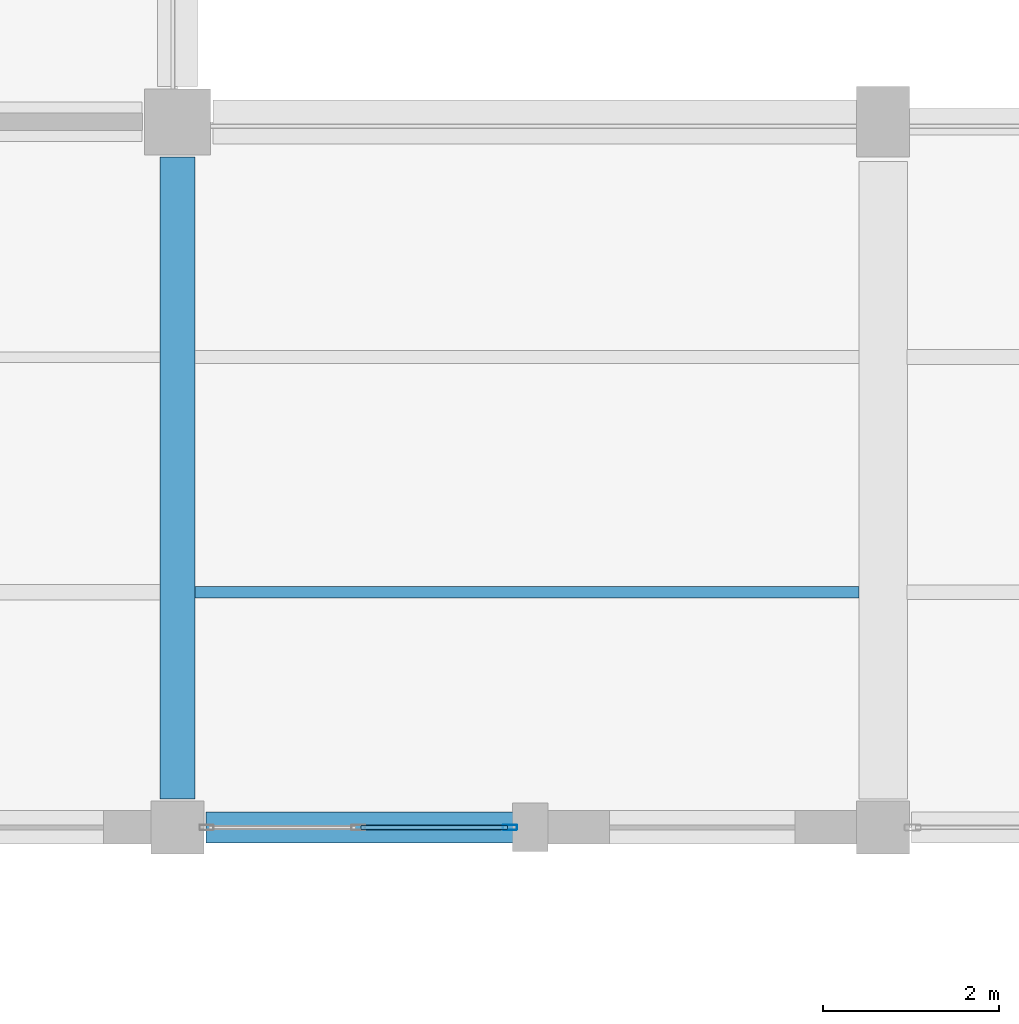
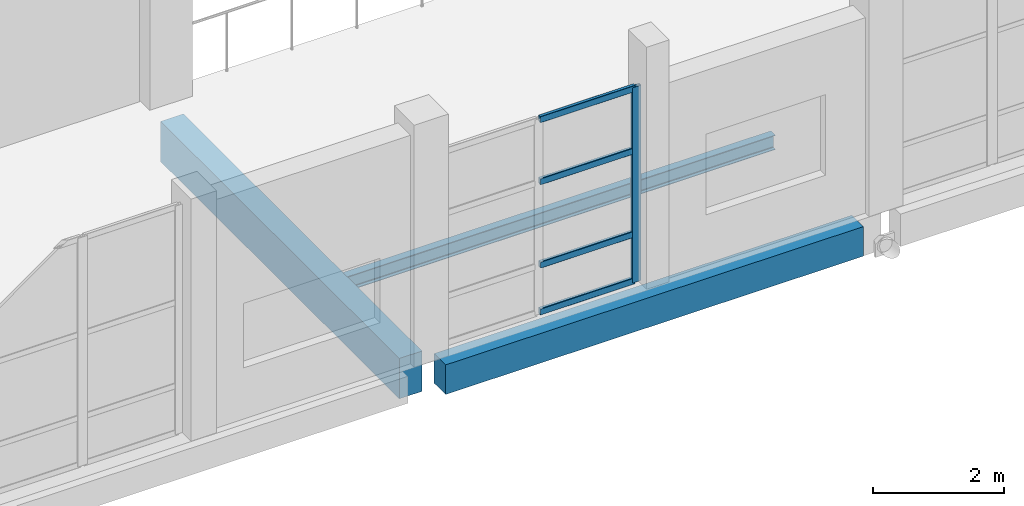
# One storey, part 93 of 183: 5 members, 3 beams, 1 element without a shape of its own.
"""IFC4 building model written with IfcOpenShell, lengths in metres."""

from ifc_helpers import new_model, si_unit, direction, frame, origin, origin_2d, place, context, subcontext, project, spatial, rectangle, hollow_rectangle, i_section, extrude, material, material_profile, profile_set, type_object, element, aggregate, save


model = new_model("IFC4")

# Units and contexts
model_context = context("Model", 3, precision=1e-05, world=origin(), true_north=direction((0.0, 1.0)))
body_context = subcontext(model_context, "Body", "Model", "MODEL_VIEW")
ifc_project = project(units=[si_unit("LENGTHUNIT", "METRE"), si_unit("AREAUNIT", "SQUARE_METRE"), si_unit("VOLUMEUNIT", "CUBIC_METRE"), si_unit("PLANEANGLEUNIT", "RADIAN"), si_unit("MASSUNIT", "GRAM", prefix="KILO")], contexts=[model_context])

# Site, building, storey
site_placement = place(None, origin())
site = spatial("IfcSite", under=ifc_project, at=site_placement, CompositionType="ELEMENT")
building_placement = place(site_placement, origin())
building = spatial("IfcBuilding", under=site, at=building_placement, Name="Luwemba Playhouse", CompositionType="ELEMENT")
storey_placement = place(building_placement, frame((0.0, 0.0, 4.800048828125)))
storey = spatial("IfcBuildingStorey", under=building, at=storey_placement, Name="L01", CompositionType="ELEMENT", Elevation=4.800048828125)

# Beams
ifc_material_1 = material(Name="Concrete C40/50", Category="concrete")
ifc_material_profile_1 = material_profile(ifc_material_1, rectangle(XDim=0.39990234375, YDim=0.75, at=origin_2d()))
ifc_profile_set_1 = profile_set([ifc_material_profile_1], Name="Concrete C40/50")
beam_type_1 = type_object("IfcBeamType", Name="BM-RB03", PredefinedType="BEAM", material=ifc_profile_set_1)
beam_1_placement = place(storey_placement, frame((140.0, 36.324951171875, -0.625), z_axis=(0.0, 1.0, 0.0), x_axis=(-1.0, 0.0, 0.0)))
element("IfcBeam", 1, at=beam_1_placement, inside=storey, type_object=beam_type_1, Name="L01 transverse girder 0424", PredefinedType="BEAM", context=body_context, shape_type="SweptSolid", body=[
    extrude(rectangle(XDim=0.39990234375, YDim=0.75, at=origin_2d()), origin(), (0.0, 0.0, 1.0), 7.275146484375),
])
ifc_material_2 = material(Name="Steel S355", Category="steel")
ifc_material_profile_2 = material_profile(ifc_material_2, i_section(OverallWidth=0.135009765625, OverallDepth=0.27001953125, WebThickness=0.006591796875, FlangeThickness=0.01025390625, FilletRadius=0.014892578125, at=origin_2d()))
ifc_profile_set_2 = profile_set([ifc_material_profile_2], Name="Steel S355")
beam_type_2 = type_object("IfcBeamType", Name="BM-SJ04", PredefinedType="JOIST", material=ifc_profile_set_2)
beam_2_placement = place(storey_placement, frame((140.196044921875, 38.666748046875, -0.385009765625), z_axis=(1.0, 0.0, 0.0), x_axis=(0.0, 1.0, 0.0)))
element("IfcBeam", 2, at=beam_2_placement, inside=storey, type_object=beam_type_2, Name="L01 composite floor joist 0257", PredefinedType="JOIST", context=body_context, shape_type="SweptSolid", body=[
    extrude(i_section(OverallWidth=0.135009765625, OverallDepth=0.27001953125, WebThickness=0.006591796875, FlangeThickness=0.01025390625, FilletRadius=0.014892578125, at=origin_2d()), origin(), (0.0, 0.0, 1.0), 7.532958984375),
])
ifc_material_profile_3 = material_profile(ifc_material_1, rectangle(XDim=0.35009765625, YDim=0.550048828125, at=origin_2d()))
ifc_profile_set_3 = profile_set([ifc_material_profile_3], Name="Concrete C40/50")
beam_type_3 = type_object("IfcBeamType", Name="BM-SP2", PredefinedType="SPANDREL", material=ifc_profile_set_3)
beam_3_placement = place(storey_placement, frame((140.324951171875, 36.0, -0.525146484375), z_axis=(1.0, 0.0, 0.0), x_axis=(0.0, 1.0, 0.0)))
element("IfcBeam", 3, at=beam_3_placement, inside=storey, type_object=beam_type_3, Name="L01 grid girder 0405", PredefinedType="SPANDREL", context=body_context, shape_type="SweptSolid", body=[
    extrude(rectangle(XDim=0.35009765625, YDim=0.550048828125, at=origin_2d()), origin(), (0.0, 0.0, 1.0), 7.35009765625),
])

# Curtain wall, members
ifc_material_3 = material(Name="Solar-control double glazing", Category="glass")
curtain_wall_type = type_object("IfcCurtainWallType", Name="CW-CW77", PredefinedType="USERDEFINED", material=ifc_material_3)
curtain_wall_placement = place(storey_placement, origin())
curtain_wall = element("IfcCurtainWall", 4, at=curtain_wall_placement, inside=storey, type_object=curtain_wall_type, Name="L01 V3 unitised curtain wall 110", ObjectType="UNITISED GLAZING", PredefinedType="USERDEFINED")
ifc_material_4 = material(Name="Aluminium 6063-T6", Category="aluminium")
ifc_material_profile_4 = material_profile(ifc_material_4, hollow_rectangle(XDim=0.06005859375, YDim=0.159912109375, WallThickness=0.00390625, InnerFilletRadius=0.006103515625, OuterFilletRadius=0.010009765625, at=origin_2d()))
ifc_profile_set_4 = profile_set([ifc_material_profile_4], Name="Aluminium 6063-T6")
member_type_1 = type_object("IfcMemberType", Name="CWM-M1", PredefinedType="MULLION", material=ifc_profile_set_4)
member_1_placement = place(storey_placement, frame((143.77001953125, 36.0, 0.0), z_axis=(0.0, 0.0, 1.0), x_axis=(0.0, -1.0, 0.0)))
member_1 = element("IfcMember", 5, at=member_1_placement, type_object=member_type_1, Name="CW77 mullion 1", PredefinedType="MULLION", context=body_context, shape_type="SweptSolid", body=[
    extrude(hollow_rectangle(XDim=0.06005859375, YDim=0.159912109375, WallThickness=0.00390625, InnerFilletRadius=0.006103515625, OuterFilletRadius=0.010009765625, at=origin_2d()), origin(), (0.0, 0.0, 1.0), 3.635009765625),
])
ifc_material_profile_5 = material_profile(ifc_material_4, hollow_rectangle(XDim=0.06005859375, YDim=0.1201171875, WallThickness=0.00390625, InnerFilletRadius=0.006103515625, OuterFilletRadius=0.010009765625, at=origin_2d()))
ifc_profile_set_5 = profile_set([ifc_material_profile_5], Name="Aluminium 6063-T6")
member_type_2 = type_object("IfcMemberType", Name="CWT-T1", PredefinedType="USERDEFINED", material=ifc_profile_set_5)
member_2_placement = place(storey_placement, frame((143.739990234375, 36.0, 0.030029296875), z_axis=(-1.0, 0.0, 0.0), x_axis=(0.0, -1.0, 0.0)))
member_2 = element("IfcMember", 6, at=member_2_placement, type_object=member_type_2, Name="CW77 transom 1.1", ObjectType="TRANSOM", PredefinedType="USERDEFINED", context=body_context, shape_type="SweptSolid", body=[
    extrude(hollow_rectangle(XDim=0.06005859375, YDim=0.1201171875, WallThickness=0.00390625, InnerFilletRadius=0.006103515625, OuterFilletRadius=0.010009765625, at=origin_2d()), origin(), (0.0, 0.0, 1.0), 1.659912109375),
])
member_3_placement = place(storey_placement, frame((143.739990234375, 36.0, 0.89990234375), z_axis=(-1.0, 0.0, 0.0), x_axis=(0.0, -1.0, 0.0)))
member_3 = element("IfcMember", 7, at=member_3_placement, type_object=member_type_2, Name="CW77 transom 1.2", ObjectType="TRANSOM", PredefinedType="USERDEFINED", context=body_context, shape_type="SweptSolid", body=[
    extrude(hollow_rectangle(XDim=0.06005859375, YDim=0.1201171875, WallThickness=0.00390625, InnerFilletRadius=0.006103515625, OuterFilletRadius=0.010009765625, at=origin_2d()), origin(), (0.0, 0.0, 1.0), 1.659912109375),
])
member_4_placement = place(storey_placement, frame((143.739990234375, 36.0, 2.449951171875), z_axis=(-1.0, 0.0, 0.0), x_axis=(0.0, -1.0, 0.0)))
member_4 = element("IfcMember", 8, at=member_4_placement, type_object=member_type_2, Name="CW77 transom 1.3", ObjectType="TRANSOM", PredefinedType="USERDEFINED", context=body_context, shape_type="SweptSolid", body=[
    extrude(hollow_rectangle(XDim=0.06005859375, YDim=0.1201171875, WallThickness=0.00390625, InnerFilletRadius=0.006103515625, OuterFilletRadius=0.010009765625, at=origin_2d()), origin(), (0.0, 0.0, 1.0), 1.659912109375),
])
member_5_placement = place(storey_placement, frame((143.739990234375, 36.0, 3.60498046875), z_axis=(-1.0, 0.0, 0.0), x_axis=(0.0, -1.0, 0.0)))
member_5 = element("IfcMember", 9, at=member_5_placement, type_object=member_type_2, Name="CW77 transom 1.4", ObjectType="TRANSOM", PredefinedType="USERDEFINED", context=body_context, shape_type="SweptSolid", body=[
    extrude(hollow_rectangle(XDim=0.06005859375, YDim=0.1201171875, WallThickness=0.00390625, InnerFilletRadius=0.006103515625, OuterFilletRadius=0.010009765625, at=origin_2d()), origin(), (0.0, 0.0, 1.0), 1.659912109375),
])
aggregate(curtain_wall, [member_1, member_2, member_3, member_4, member_5])

save(model, "model.ifc")
